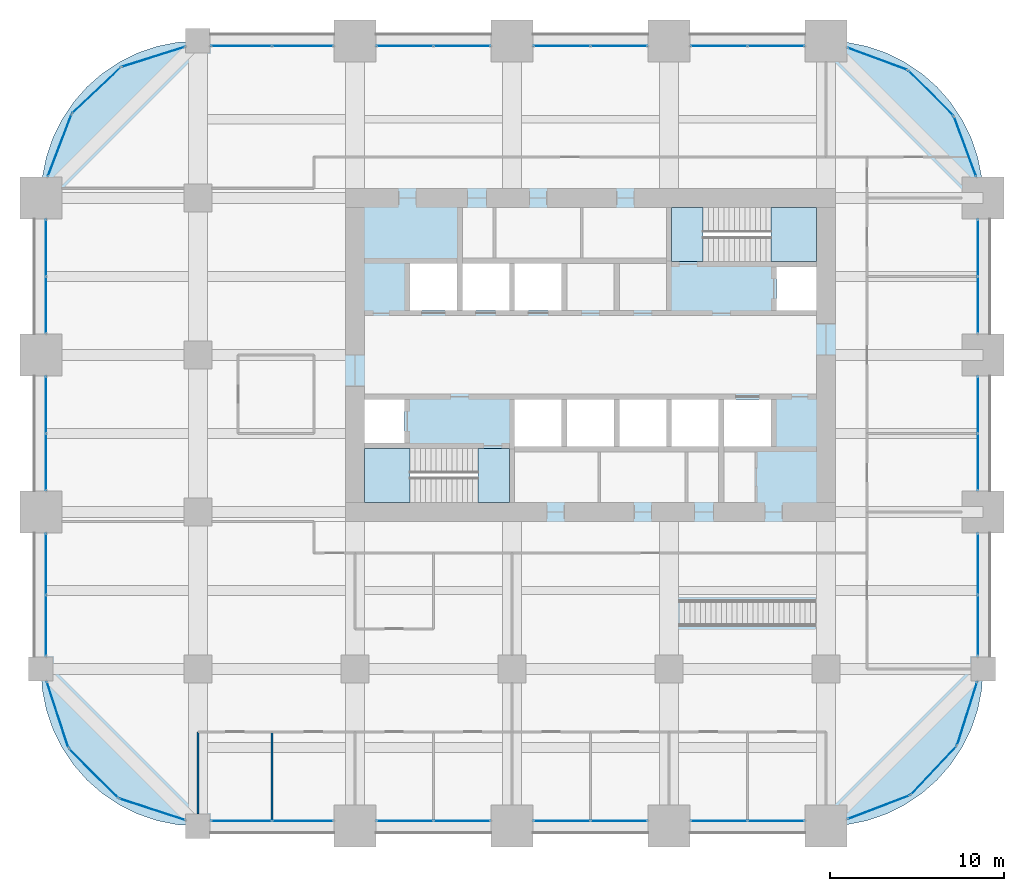
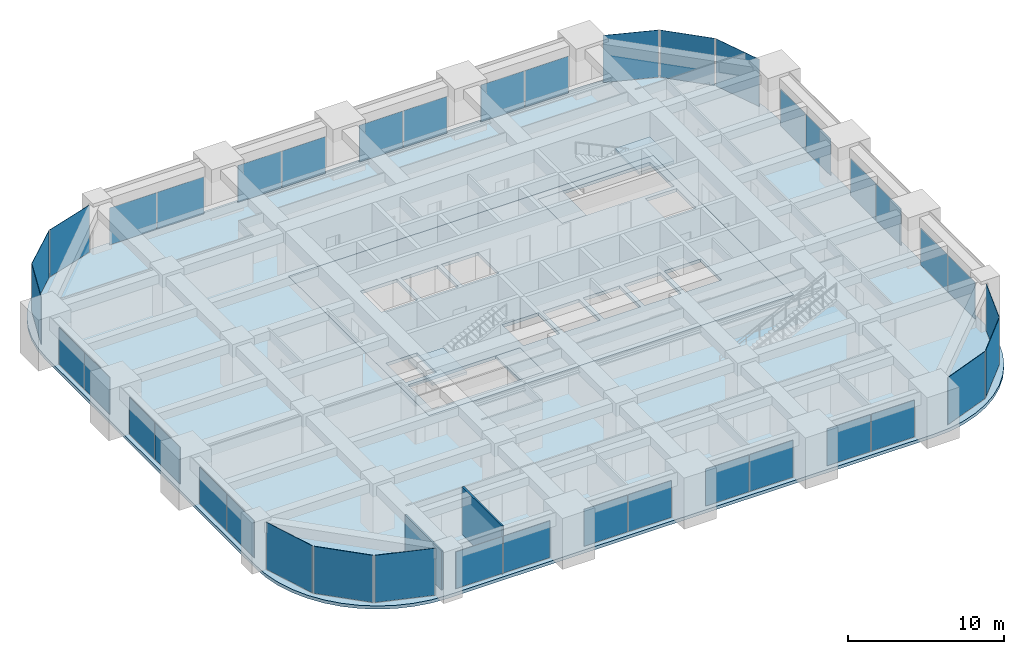
# One storey, part 28 of 34: 40 plates, 6 slabs, 2 walls, 28 elements without a shape of their own.
"""IFC4 building model written with IfcOpenShell, lengths in metres."""

from ifc_helpers import new_model, si_unit, direction, frame, frame_2d, origin, origin_2d, place, context, subcontext, project, spatial, polyline, rectangle, outline, extrude, material, layer, layer_set, type_object, element, aggregate, save


model = new_model("IFC4")

# Units and contexts
model_context = context("Model", 3, precision=1e-05, world=origin(), true_north=direction((0.0, 1.0)))
body_context = subcontext(model_context, "Body", "Model", "MODEL_VIEW")
ifc_project = project(units=[si_unit("LENGTHUNIT", "METRE"), si_unit("AREAUNIT", "SQUARE_METRE"), si_unit("VOLUMEUNIT", "CUBIC_METRE"), si_unit("PLANEANGLEUNIT", "RADIAN"), si_unit("MASSUNIT", "GRAM", prefix="KILO")], contexts=[model_context])

# Site, building, storey
site_placement = place(None, origin())
site = spatial("IfcSite", under=ifc_project, at=site_placement, CompositionType="ELEMENT")
building_placement = place(site_placement, origin())
building = spatial("IfcBuilding", under=site, at=building_placement, Name="Zorevar Civic Tower", CompositionType="ELEMENT")
storey_placement = place(building_placement, frame((0.0, 0.0, 174.199951171875)))
storey = spatial("IfcBuildingStorey", under=building, at=storey_placement, Name="L42", CompositionType="ELEMENT", Elevation=174.199951171875)

# Curtain wall, plates
ifc_material_1 = material(Name="Dark grey solar-control glass in black aluminium frame", Category="aluminium")
curtain_wall_type = type_object("IfcCurtainWallType", Name="Curtain wall CW4 high zone", PredefinedType="NOTDEFINED", material=ifc_material_1)
curtain_wall_1_placement = place(storey_placement, origin())
curtain_wall_1 = element("IfcCurtainWall", 1, at=curtain_wall_1_placement, inside=storey, type_object=curtain_wall_type, Name="CW4 L42", PredefinedType="NOTDEFINED")
ifc_material_2 = material(Name="Dark grey solar-control glass", Category="glass")
ifc_layer_1 = layer(ifc_material_2, 0.028076171875)
ifc_layer_set_1 = layer_set([ifc_layer_1], Name="CW4 panel 28")
plate_type = type_object("IfcPlateType", Name="CW4 panel 28", PredefinedType="CURTAIN_PANEL", material=ifc_layer_set_1)
plate_1_placement = place(storey_placement, frame((11.489990234375, 0.300048828125, 0.06005859375), z_axis=(0.0, 0.0, 1.0), x_axis=(1.0, 0.0, 0.0)))
plate_1 = element("IfcPlate", 2, at=plate_1_placement, type_object=plate_type, Name="CW4 panel 1.1", PredefinedType="CURTAIN_PANEL", context=body_context, shape_type="SweptSolid", body=[
    extrude(rectangle(XDim=3.4599609375, YDim=0.028076171875, at=origin_2d()), origin(), (0.0, 0.0, 1.0), 2.889892578125),
])
plate_2_placement = place(storey_placement, frame((15.010009765625, 0.300048828125, 0.06005859375), z_axis=(0.0, 0.0, 1.0), x_axis=(1.0, 0.0, 0.0)))
plate_2 = element("IfcPlate", 3, at=plate_2_placement, type_object=plate_type, Name="CW4 panel 2.1", PredefinedType="CURTAIN_PANEL", context=body_context, shape_type="SweptSolid", body=[
    extrude(rectangle(XDim=3.4599609375, YDim=0.028076171875, at=origin_2d()), origin(), (0.0, 0.0, 1.0), 2.889892578125),
])
aggregate(curtain_wall_1, [plate_1, plate_2])

curtain_wall_2_placement = place(storey_placement, origin())
curtain_wall_2 = element("IfcCurtainWall", 4, at=curtain_wall_2_placement, inside=storey, type_object=curtain_wall_type, Name="CW4 L42", PredefinedType="NOTDEFINED")
plate_3_placement = place(storey_placement, frame((11.489990234375, 44.699951171875, 0.06005859375), z_axis=(0.0, 0.0, 1.0), x_axis=(1.0, 0.0, 0.0)))
plate_3 = element("IfcPlate", 5, at=plate_3_placement, type_object=plate_type, Name="CW4 panel 1.1", PredefinedType="CURTAIN_PANEL", context=body_context, shape_type="SweptSolid", body=[
    extrude(rectangle(XDim=3.4599609375, YDim=0.028076171875, at=origin_2d()), origin(), (0.0, 0.0, 1.0), 2.889892578125),
])
plate_4_placement = place(storey_placement, frame((15.010009765625, 44.699951171875, 0.06005859375), z_axis=(0.0, 0.0, 1.0), x_axis=(1.0, 0.0, 0.0)))
plate_4 = element("IfcPlate", 6, at=plate_4_placement, type_object=plate_type, Name="CW4 panel 2.1", PredefinedType="CURTAIN_PANEL", context=body_context, shape_type="SweptSolid", body=[
    extrude(rectangle(XDim=3.4599609375, YDim=0.028076171875, at=origin_2d()), origin(), (0.0, 0.0, 1.0), 2.889892578125),
])
aggregate(curtain_wall_2, [plate_3, plate_4])

curtain_wall_3_placement = place(storey_placement, origin())
curtain_wall_3 = element("IfcCurtainWall", 7, at=curtain_wall_3_placement, inside=storey, type_object=curtain_wall_type, Name="CW4 L42", PredefinedType="NOTDEFINED")
plate_5_placement = place(storey_placement, frame((20.864990234375, 0.300048828125, 0.06005859375), z_axis=(0.0, 0.0, 1.0), x_axis=(1.0, 0.0, 0.0)))
plate_5 = element("IfcPlate", 8, at=plate_5_placement, type_object=plate_type, Name="CW4 panel 1.1", PredefinedType="CURTAIN_PANEL", context=body_context, shape_type="SweptSolid", body=[
    extrude(rectangle(XDim=3.2099609375, YDim=0.028076171875, at=origin_2d()), origin(), (0.0, 0.0, 1.0), 2.889892578125),
])
plate_6_placement = place(storey_placement, frame((24.135009765625, 0.300048828125, 0.06005859375), z_axis=(0.0, 0.0, 1.0), x_axis=(1.0, 0.0, 0.0)))
plate_6 = element("IfcPlate", 9, at=plate_6_placement, type_object=plate_type, Name="CW4 panel 2.1", PredefinedType="CURTAIN_PANEL", context=body_context, shape_type="SweptSolid", body=[
    extrude(rectangle(XDim=3.2099609375, YDim=0.028076171875, at=origin_2d()), origin(), (0.0, 0.0, 1.0), 2.889892578125),
])
aggregate(curtain_wall_3, [plate_5, plate_6])

curtain_wall_4_placement = place(storey_placement, origin())
curtain_wall_4 = element("IfcCurtainWall", 10, at=curtain_wall_4_placement, inside=storey, type_object=curtain_wall_type, Name="CW4 L42", PredefinedType="NOTDEFINED")
plate_7_placement = place(storey_placement, frame((20.864990234375, 44.699951171875, 0.06005859375), z_axis=(0.0, 0.0, 1.0), x_axis=(1.0, 0.0, 0.0)))
plate_7 = element("IfcPlate", 11, at=plate_7_placement, type_object=plate_type, Name="CW4 panel 1.1", PredefinedType="CURTAIN_PANEL", context=body_context, shape_type="SweptSolid", body=[
    extrude(rectangle(XDim=3.2099609375, YDim=0.028076171875, at=origin_2d()), origin(), (0.0, 0.0, 1.0), 2.889892578125),
])
plate_8_placement = place(storey_placement, frame((24.135009765625, 44.699951171875, 0.06005859375), z_axis=(0.0, 0.0, 1.0), x_axis=(1.0, 0.0, 0.0)))
plate_8 = element("IfcPlate", 12, at=plate_8_placement, type_object=plate_type, Name="CW4 panel 2.1", PredefinedType="CURTAIN_PANEL", context=body_context, shape_type="SweptSolid", body=[
    extrude(rectangle(XDim=3.2099609375, YDim=0.028076171875, at=origin_2d()), origin(), (0.0, 0.0, 1.0), 2.889892578125),
])
aggregate(curtain_wall_4, [plate_7, plate_8])

curtain_wall_5_placement = place(storey_placement, origin())
curtain_wall_5 = element("IfcCurtainWall", 13, at=curtain_wall_5_placement, inside=storey, type_object=curtain_wall_type, Name="CW4 L42", PredefinedType="NOTDEFINED")
plate_9_placement = place(storey_placement, frame((29.864990234375, 0.300048828125, 0.06005859375), z_axis=(0.0, 0.0, 1.0), x_axis=(1.0, 0.0, 0.0)))
plate_9 = element("IfcPlate", 14, at=plate_9_placement, type_object=plate_type, Name="CW4 panel 1.1", PredefinedType="CURTAIN_PANEL", context=body_context, shape_type="SweptSolid", body=[
    extrude(rectangle(XDim=3.2099609375, YDim=0.028076171875, at=origin_2d()), origin(), (0.0, 0.0, 1.0), 2.889892578125),
])
plate_10_placement = place(storey_placement, frame((33.135009765625, 0.300048828125, 0.06005859375), z_axis=(0.0, 0.0, 1.0), x_axis=(1.0, 0.0, 0.0)))
plate_10 = element("IfcPlate", 15, at=plate_10_placement, type_object=plate_type, Name="CW4 panel 2.1", PredefinedType="CURTAIN_PANEL", context=body_context, shape_type="SweptSolid", body=[
    extrude(rectangle(XDim=3.2099609375, YDim=0.028076171875, at=origin_2d()), origin(), (0.0, 0.0, 1.0), 2.889892578125),
])
aggregate(curtain_wall_5, [plate_9, plate_10])

curtain_wall_6_placement = place(storey_placement, origin())
curtain_wall_6 = element("IfcCurtainWall", 16, at=curtain_wall_6_placement, inside=storey, type_object=curtain_wall_type, Name="CW4 L42", PredefinedType="NOTDEFINED")
plate_11_placement = place(storey_placement, frame((29.864990234375, 44.699951171875, 0.06005859375), z_axis=(0.0, 0.0, 1.0), x_axis=(1.0, 0.0, 0.0)))
plate_11 = element("IfcPlate", 17, at=plate_11_placement, type_object=plate_type, Name="CW4 panel 1.1", PredefinedType="CURTAIN_PANEL", context=body_context, shape_type="SweptSolid", body=[
    extrude(rectangle(XDim=3.2099609375, YDim=0.028076171875, at=origin_2d()), origin(), (0.0, 0.0, 1.0), 2.889892578125),
])
plate_12_placement = place(storey_placement, frame((33.135009765625, 44.699951171875, 0.06005859375), z_axis=(0.0, 0.0, 1.0), x_axis=(1.0, 0.0, 0.0)))
plate_12 = element("IfcPlate", 18, at=plate_12_placement, type_object=plate_type, Name="CW4 panel 2.1", PredefinedType="CURTAIN_PANEL", context=body_context, shape_type="SweptSolid", body=[
    extrude(rectangle(XDim=3.2099609375, YDim=0.028076171875, at=origin_2d()), origin(), (0.0, 0.0, 1.0), 2.889892578125),
])
aggregate(curtain_wall_6, [plate_11, plate_12])

curtain_wall_7_placement = place(storey_placement, origin())
curtain_wall_7 = element("IfcCurtainWall", 19, at=curtain_wall_7_placement, inside=storey, type_object=curtain_wall_type, Name="CW4 L42", PredefinedType="NOTDEFINED")
plate_13_placement = place(storey_placement, frame((38.864990234375, 0.300048828125, 0.06005859375), z_axis=(0.0, 0.0, 1.0), x_axis=(1.0, 0.0, 0.0)))
plate_13 = element("IfcPlate", 20, at=plate_13_placement, type_object=plate_type, Name="CW4 panel 1.1", PredefinedType="CURTAIN_PANEL", context=body_context, shape_type="SweptSolid", body=[
    extrude(rectangle(XDim=3.2099609375, YDim=0.028076171875, at=origin_2d()), origin(), (0.0, 0.0, 1.0), 2.889892578125),
])
plate_14_placement = place(storey_placement, frame((42.135009765625, 0.300048828125, 0.06005859375), z_axis=(0.0, 0.0, 1.0), x_axis=(1.0, 0.0, 0.0)))
plate_14 = element("IfcPlate", 21, at=plate_14_placement, type_object=plate_type, Name="CW4 panel 2.1", PredefinedType="CURTAIN_PANEL", context=body_context, shape_type="SweptSolid", body=[
    extrude(rectangle(XDim=3.2099609375, YDim=0.028076171875, at=origin_2d()), origin(), (0.0, 0.0, 1.0), 2.889892578125),
])
aggregate(curtain_wall_7, [plate_13, plate_14])

curtain_wall_8_placement = place(storey_placement, origin())
curtain_wall_8 = element("IfcCurtainWall", 22, at=curtain_wall_8_placement, inside=storey, type_object=curtain_wall_type, Name="CW4 L42", PredefinedType="NOTDEFINED")
plate_15_placement = place(storey_placement, frame((38.864990234375, 44.699951171875, 0.06005859375), z_axis=(0.0, 0.0, 1.0), x_axis=(1.0, 0.0, 0.0)))
plate_15 = element("IfcPlate", 23, at=plate_15_placement, type_object=plate_type, Name="CW4 panel 1.1", PredefinedType="CURTAIN_PANEL", context=body_context, shape_type="SweptSolid", body=[
    extrude(rectangle(XDim=3.2099609375, YDim=0.028076171875, at=origin_2d()), origin(), (0.0, 0.0, 1.0), 2.889892578125),
])
plate_16_placement = place(storey_placement, frame((42.135009765625, 44.699951171875, 0.06005859375), z_axis=(0.0, 0.0, 1.0), x_axis=(1.0, 0.0, 0.0)))
plate_16 = element("IfcPlate", 24, at=plate_16_placement, type_object=plate_type, Name="CW4 panel 2.1", PredefinedType="CURTAIN_PANEL", context=body_context, shape_type="SweptSolid", body=[
    extrude(rectangle(XDim=3.2099609375, YDim=0.028076171875, at=origin_2d()), origin(), (0.0, 0.0, 1.0), 2.889892578125),
])
aggregate(curtain_wall_8, [plate_15, plate_16])

curtain_wall_9_placement = place(storey_placement, origin())
curtain_wall_9 = element("IfcCurtainWall", 25, at=curtain_wall_9_placement, inside=storey, type_object=curtain_wall_type, Name="CW4 L42", PredefinedType="NOTDEFINED")
plate_17_placement = place(storey_placement, frame((0.300048828125, 11.489990234375, 0.06005859375), z_axis=(0.0, 0.0, 1.0), x_axis=(0.0, 1.0, 0.0)))
plate_17 = element("IfcPlate", 26, at=plate_17_placement, type_object=plate_type, Name="CW4 panel 1.1", PredefinedType="CURTAIN_PANEL", context=body_context, shape_type="SweptSolid", body=[
    extrude(rectangle(XDim=3.4599609375, YDim=0.028076171875, at=origin_2d()), origin(), (0.0, 0.0, 1.0), 2.889892578125),
])
plate_18_placement = place(storey_placement, frame((0.300048828125, 15.010009765625, 0.06005859375), z_axis=(0.0, 0.0, 1.0), x_axis=(0.0, 1.0, 0.0)))
plate_18 = element("IfcPlate", 27, at=plate_18_placement, type_object=plate_type, Name="CW4 panel 2.1", PredefinedType="CURTAIN_PANEL", context=body_context, shape_type="SweptSolid", body=[
    extrude(rectangle(XDim=3.4599609375, YDim=0.028076171875, at=origin_2d()), origin(), (0.0, 0.0, 1.0), 2.889892578125),
])
aggregate(curtain_wall_9, [plate_17, plate_18])

curtain_wall_10_placement = place(storey_placement, origin())
curtain_wall_10 = element("IfcCurtainWall", 28, at=curtain_wall_10_placement, inside=storey, type_object=curtain_wall_type, Name="CW4 L42", PredefinedType="NOTDEFINED")
plate_19_placement = place(storey_placement, frame((53.699951171875, 11.489990234375, 0.06005859375), z_axis=(0.0, 0.0, 1.0), x_axis=(0.0, 1.0, 0.0)))
plate_19 = element("IfcPlate", 29, at=plate_19_placement, type_object=plate_type, Name="CW4 panel 1.1", PredefinedType="CURTAIN_PANEL", context=body_context, shape_type="SweptSolid", body=[
    extrude(rectangle(XDim=3.4599609375, YDim=0.028076171875, at=origin_2d()), origin(), (0.0, 0.0, 1.0), 2.889892578125),
])
plate_20_placement = place(storey_placement, frame((53.699951171875, 15.010009765625, 0.06005859375), z_axis=(0.0, 0.0, 1.0), x_axis=(0.0, 1.0, 0.0)))
plate_20 = element("IfcPlate", 30, at=plate_20_placement, type_object=plate_type, Name="CW4 panel 2.1", PredefinedType="CURTAIN_PANEL", context=body_context, shape_type="SweptSolid", body=[
    extrude(rectangle(XDim=3.4599609375, YDim=0.028076171875, at=origin_2d()), origin(), (0.0, 0.0, 1.0), 2.889892578125),
])
aggregate(curtain_wall_10, [plate_19, plate_20])

curtain_wall_11_placement = place(storey_placement, origin())
curtain_wall_11 = element("IfcCurtainWall", 31, at=curtain_wall_11_placement, inside=storey, type_object=curtain_wall_type, Name="CW4 L42", PredefinedType="NOTDEFINED")
plate_21_placement = place(storey_placement, frame((0.300048828125, 20.864990234375, 0.06005859375), z_axis=(0.0, 0.0, 1.0), x_axis=(0.0, 1.0, 0.0)))
plate_21 = element("IfcPlate", 32, at=plate_21_placement, type_object=plate_type, Name="CW4 panel 1.1", PredefinedType="CURTAIN_PANEL", context=body_context, shape_type="SweptSolid", body=[
    extrude(rectangle(XDim=3.2099609375, YDim=0.028076171875, at=origin_2d()), origin(), (0.0, 0.0, 1.0), 2.889892578125),
])
plate_22_placement = place(storey_placement, frame((0.300048828125, 24.135009765625, 0.06005859375), z_axis=(0.0, 0.0, 1.0), x_axis=(0.0, 1.0, 0.0)))
plate_22 = element("IfcPlate", 33, at=plate_22_placement, type_object=plate_type, Name="CW4 panel 2.1", PredefinedType="CURTAIN_PANEL", context=body_context, shape_type="SweptSolid", body=[
    extrude(rectangle(XDim=3.2099609375, YDim=0.028076171875, at=origin_2d()), origin(), (0.0, 0.0, 1.0), 2.889892578125),
])
aggregate(curtain_wall_11, [plate_21, plate_22])

curtain_wall_12_placement = place(storey_placement, origin())
curtain_wall_12 = element("IfcCurtainWall", 34, at=curtain_wall_12_placement, inside=storey, type_object=curtain_wall_type, Name="CW4 L42", PredefinedType="NOTDEFINED")
plate_23_placement = place(storey_placement, frame((53.699951171875, 20.864990234375, 0.06005859375), z_axis=(0.0, 0.0, 1.0), x_axis=(0.0, 1.0, 0.0)))
plate_23 = element("IfcPlate", 35, at=plate_23_placement, type_object=plate_type, Name="CW4 panel 1.1", PredefinedType="CURTAIN_PANEL", context=body_context, shape_type="SweptSolid", body=[
    extrude(rectangle(XDim=3.2099609375, YDim=0.028076171875, at=origin_2d()), origin(), (0.0, 0.0, 1.0), 2.889892578125),
])
plate_24_placement = place(storey_placement, frame((53.699951171875, 24.135009765625, 0.06005859375), z_axis=(0.0, 0.0, 1.0), x_axis=(0.0, 1.0, 0.0)))
plate_24 = element("IfcPlate", 36, at=plate_24_placement, type_object=plate_type, Name="CW4 panel 2.1", PredefinedType="CURTAIN_PANEL", context=body_context, shape_type="SweptSolid", body=[
    extrude(rectangle(XDim=3.2099609375, YDim=0.028076171875, at=origin_2d()), origin(), (0.0, 0.0, 1.0), 2.889892578125),
])
aggregate(curtain_wall_12, [plate_23, plate_24])

curtain_wall_13_placement = place(storey_placement, origin())
curtain_wall_13 = element("IfcCurtainWall", 37, at=curtain_wall_13_placement, inside=storey, type_object=curtain_wall_type, Name="CW4 L42", PredefinedType="NOTDEFINED")
plate_25_placement = place(storey_placement, frame((0.300048828125, 29.864990234375, 0.06005859375), z_axis=(0.0, 0.0, 1.0), x_axis=(0.0, 1.0, 0.0)))
plate_25 = element("IfcPlate", 38, at=plate_25_placement, type_object=plate_type, Name="CW4 panel 1.1", PredefinedType="CURTAIN_PANEL", context=body_context, shape_type="SweptSolid", body=[
    extrude(rectangle(XDim=3.2099609375, YDim=0.028076171875, at=origin_2d()), origin(), (0.0, 0.0, 1.0), 2.889892578125),
])
plate_26_placement = place(storey_placement, frame((0.300048828125, 33.135009765625, 0.06005859375), z_axis=(0.0, 0.0, 1.0), x_axis=(0.0, 1.0, 0.0)))
plate_26 = element("IfcPlate", 39, at=plate_26_placement, type_object=plate_type, Name="CW4 panel 2.1", PredefinedType="CURTAIN_PANEL", context=body_context, shape_type="SweptSolid", body=[
    extrude(rectangle(XDim=3.2099609375, YDim=0.028076171875, at=origin_2d()), origin(), (0.0, 0.0, 1.0), 2.889892578125),
])
aggregate(curtain_wall_13, [plate_25, plate_26])

curtain_wall_14_placement = place(storey_placement, origin())
curtain_wall_14 = element("IfcCurtainWall", 40, at=curtain_wall_14_placement, inside=storey, type_object=curtain_wall_type, Name="CW4 L42", PredefinedType="NOTDEFINED")
plate_27_placement = place(storey_placement, frame((53.699951171875, 29.864990234375, 0.06005859375), z_axis=(0.0, 0.0, 1.0), x_axis=(0.0, 1.0, 0.0)))
plate_27 = element("IfcPlate", 41, at=plate_27_placement, type_object=plate_type, Name="CW4 panel 1.1", PredefinedType="CURTAIN_PANEL", context=body_context, shape_type="SweptSolid", body=[
    extrude(rectangle(XDim=3.2099609375, YDim=0.028076171875, at=origin_2d()), origin(), (0.0, 0.0, 1.0), 2.889892578125),
])
plate_28_placement = place(storey_placement, frame((53.699951171875, 33.135009765625, 0.06005859375), z_axis=(0.0, 0.0, 1.0), x_axis=(0.0, 1.0, 0.0)))
plate_28 = element("IfcPlate", 42, at=plate_28_placement, type_object=plate_type, Name="CW4 panel 2.1", PredefinedType="CURTAIN_PANEL", context=body_context, shape_type="SweptSolid", body=[
    extrude(rectangle(XDim=3.2099609375, YDim=0.028076171875, at=origin_2d()), origin(), (0.0, 0.0, 1.0), 2.889892578125),
])
aggregate(curtain_wall_14, [plate_27, plate_28])

# Curtain wall, plate
curtain_wall_15_placement = place(storey_placement, origin())
curtain_wall_15 = element("IfcCurtainWall", 43, at=curtain_wall_15_placement, inside=storey, type_object=curtain_wall_type, Name="CW4 L42", PredefinedType="NOTDEFINED")
plate_29_placement = place(storey_placement, frame((48.0166015625, 1.07470703125, 0.06005859375), z_axis=(0.0, 0.0, 1.0), x_axis=(0.93458842801, 0.355730895803, 0.0)))
plate_29 = element("IfcPlate", 44, at=plate_29_placement, type_object=plate_type, Name="CW4 panel 1.1", PredefinedType="CURTAIN_PANEL", context=body_context, shape_type="SweptSolid", body=[
    extrude(rectangle(XDim=3.767333984375, YDim=0.028076171875, at=origin_2d()), origin(), (0.0, 0.0, 1.0), 3.68994140625),
])
aggregate(curtain_wall_15, [plate_29])

curtain_wall_16_placement = place(storey_placement, origin())
curtain_wall_16 = element("IfcCurtainWall", 45, at=curtain_wall_16_placement, inside=storey, type_object=curtain_wall_type, Name="CW4 L42", PredefinedType="NOTDEFINED")
plate_30_placement = place(storey_placement, frame((51.167236328125, 3.179443359375, 0.06005859375), z_axis=(0.0, 0.0, 1.0), x_axis=(0.686377907265, 0.727245053898, 0.0)))
plate_30 = element("IfcPlate", 46, at=plate_30_placement, type_object=plate_type, Name="CW4 panel 1.1", PredefinedType="CURTAIN_PANEL", context=body_context, shape_type="SweptSolid", body=[
    extrude(rectangle(XDim=3.767333984375, YDim=0.028076171875, at=origin_2d()), origin(), (0.0, 0.0, 1.0), 3.68994140625),
])
aggregate(curtain_wall_16, [plate_30])

curtain_wall_17_placement = place(storey_placement, origin())
curtain_wall_17 = element("IfcCurtainWall", 47, at=curtain_wall_17_placement, inside=storey, type_object=curtain_wall_type, Name="CW4 L42", PredefinedType="NOTDEFINED")
plate_31_placement = place(storey_placement, frame((53.08642578125, 6.446533203125, 0.06005859375), z_axis=(0.0, 0.0, 1.0), x_axis=(0.301108296077, 0.953589950678, 0.0)))
plate_31 = element("IfcPlate", 48, at=plate_31_placement, type_object=plate_type, Name="CW4 panel 1.1", PredefinedType="CURTAIN_PANEL", context=body_context, shape_type="SweptSolid", body=[
    extrude(rectangle(XDim=3.767333984375, YDim=0.028076171875, at=origin_2d()), origin(), (0.0, 0.0, 1.0), 3.68994140625),
])
aggregate(curtain_wall_17, [plate_31])

curtain_wall_18_placement = place(storey_placement, origin())
curtain_wall_18 = element("IfcCurtainWall", 49, at=curtain_wall_18_placement, inside=storey, type_object=curtain_wall_type, Name="CW4 L42", PredefinedType="NOTDEFINED")
plate_32_placement = place(storey_placement, frame((52.97119140625, 38.9462890625, 0.06005859375), z_axis=(0.0, 0.0, 1.0), x_axis=(-0.346704012033, 0.937974588163, 0.0)))
plate_32 = element("IfcPlate", 50, at=plate_32_placement, type_object=plate_type, Name="CW4 panel 1.1", PredefinedType="CURTAIN_PANEL", context=body_context, shape_type="SweptSolid", body=[
    extrude(rectangle(XDim=3.603759765625, YDim=0.028076171875, at=origin_2d()), origin(), (0.0, 0.0, 1.0), 3.68994140625),
])
aggregate(curtain_wall_18, [plate_32])

curtain_wall_19_placement = place(storey_placement, origin())
curtain_wall_19 = element("IfcCurtainWall", 51, at=curtain_wall_19_placement, inside=storey, type_object=curtain_wall_type, Name="CW4 L42", PredefinedType="NOTDEFINED")
plate_33_placement = place(storey_placement, frame((51.00927734375, 42.00927734375, 0.06005859375), z_axis=(0.0, 0.0, 1.0), x_axis=(-0.707106781187, 0.707106781187, 0.0)))
plate_33 = element("IfcPlate", 52, at=plate_33_placement, type_object=plate_type, Name="CW4 panel 1.1", PredefinedType="CURTAIN_PANEL", context=body_context, shape_type="SweptSolid", body=[
    extrude(rectangle(XDim=3.603759765625, YDim=0.028076171875, at=origin_2d()), origin(), (0.0, 0.0, 1.0), 3.68994140625),
])
aggregate(curtain_wall_19, [plate_33])

curtain_wall_20_placement = place(storey_placement, origin())
curtain_wall_20 = element("IfcCurtainWall", 53, at=curtain_wall_20_placement, inside=storey, type_object=curtain_wall_type, Name="CW4 L42", PredefinedType="NOTDEFINED")
plate_34_placement = place(storey_placement, frame((47.9462890625, 43.97119140625, 0.06005859375), z_axis=(0.0, 0.0, 1.0), x_axis=(-0.937974588163, 0.346704012033, 0.0)))
plate_34 = element("IfcPlate", 54, at=plate_34_placement, type_object=plate_type, Name="CW4 panel 1.1", PredefinedType="CURTAIN_PANEL", context=body_context, shape_type="SweptSolid", body=[
    extrude(rectangle(XDim=3.603759765625, YDim=0.028076171875, at=origin_2d()), origin(), (0.0, 0.0, 1.0), 3.68994140625),
])
aggregate(curtain_wall_20, [plate_34])

curtain_wall_21_placement = place(storey_placement, origin())
curtain_wall_21 = element("IfcCurtainWall", 55, at=curtain_wall_21_placement, inside=storey, type_object=curtain_wall_type, Name="CW4 L42", PredefinedType="NOTDEFINED")
plate_35_placement = place(storey_placement, frame((6.446533203125, 44.08642578125, 0.06005859375), z_axis=(0.0, 0.0, 1.0), x_axis=(-0.953589950678, -0.301108296077, 0.0)))
plate_35 = element("IfcPlate", 56, at=plate_35_placement, type_object=plate_type, Name="CW4 panel 1.1", PredefinedType="CURTAIN_PANEL", context=body_context, shape_type="SweptSolid", body=[
    extrude(rectangle(XDim=3.767333984375, YDim=0.028076171875, at=origin_2d()), origin(), (0.0, 0.0, 1.0), 3.68994140625),
])
aggregate(curtain_wall_21, [plate_35])

curtain_wall_22_placement = place(storey_placement, origin())
curtain_wall_22 = element("IfcCurtainWall", 57, at=curtain_wall_22_placement, inside=storey, type_object=curtain_wall_type, Name="CW4 L42", PredefinedType="NOTDEFINED")
plate_36_placement = place(storey_placement, frame((3.179443359375, 42.167236328125, 0.06005859375), z_axis=(0.0, 0.0, 1.0), x_axis=(-0.727245053898, -0.686377907265, 0.0)))
plate_36 = element("IfcPlate", 58, at=plate_36_placement, type_object=plate_type, Name="CW4 panel 1.1", PredefinedType="CURTAIN_PANEL", context=body_context, shape_type="SweptSolid", body=[
    extrude(rectangle(XDim=3.767333984375, YDim=0.028076171875, at=origin_2d()), origin(), (0.0, 0.0, 1.0), 3.68994140625),
])
aggregate(curtain_wall_22, [plate_36])

curtain_wall_23_placement = place(storey_placement, origin())
curtain_wall_23 = element("IfcCurtainWall", 59, at=curtain_wall_23_placement, inside=storey, type_object=curtain_wall_type, Name="CW4 L42", PredefinedType="NOTDEFINED")
plate_37_placement = place(storey_placement, frame((1.07470703125, 39.0166015625, 0.06005859375), z_axis=(0.0, 0.0, 1.0), x_axis=(-0.355730895803, -0.93458842801, 0.0)))
plate_37 = element("IfcPlate", 60, at=plate_37_placement, type_object=plate_type, Name="CW4 panel 1.1", PredefinedType="CURTAIN_PANEL", context=body_context, shape_type="SweptSolid", body=[
    extrude(rectangle(XDim=3.767333984375, YDim=0.028076171875, at=origin_2d()), origin(), (0.0, 0.0, 1.0), 3.68994140625),
])
aggregate(curtain_wall_23, [plate_37])

curtain_wall_24_placement = place(storey_placement, origin())
curtain_wall_24 = element("IfcCurtainWall", 61, at=curtain_wall_24_placement, inside=storey, type_object=curtain_wall_type, Name="CW4 L42", PredefinedType="NOTDEFINED")
plate_38_placement = place(storey_placement, frame((0.956787109375, 6.374755859375, 0.06005859375), z_axis=(0.0, 0.0, 1.0), x_axis=(0.310281419775, -0.950644749916, 0.0)))
plate_38 = element("IfcPlate", 62, at=plate_38_placement, type_object=plate_type, Name="CW4 panel 1.1", PredefinedType="CURTAIN_PANEL", context=body_context, shape_type="SweptSolid", body=[
    extrude(rectangle(XDim=3.9306640625, YDim=0.028076171875, at=origin_2d()), origin(), (0.0, 0.0, 1.0), 3.68994140625),
])
aggregate(curtain_wall_24, [plate_38])

curtain_wall_25_placement = place(storey_placement, origin())
curtain_wall_25 = element("IfcCurtainWall", 63, at=curtain_wall_25_placement, inside=storey, type_object=curtain_wall_type, Name="CW4 L42", PredefinedType="NOTDEFINED")
plate_39_placement = place(storey_placement, frame((3.01708984375, 3.01708984375, 0.06005859375), z_axis=(0.0, 0.0, 1.0), x_axis=(0.707106781187, -0.707106781187, 0.0)))
plate_39 = element("IfcPlate", 64, at=plate_39_placement, type_object=plate_type, Name="CW4 panel 1.1", PredefinedType="CURTAIN_PANEL", context=body_context, shape_type="SweptSolid", body=[
    extrude(rectangle(XDim=3.9306640625, YDim=0.028076171875, at=origin_2d()), origin(), (0.0, 0.0, 1.0), 3.68994140625),
])
aggregate(curtain_wall_25, [plate_39])

curtain_wall_26_placement = place(storey_placement, origin())
curtain_wall_26 = element("IfcCurtainWall", 65, at=curtain_wall_26_placement, inside=storey, type_object=curtain_wall_type, Name="CW4 L42", PredefinedType="NOTDEFINED")
plate_40_placement = place(storey_placement, frame((6.374755859375, 0.956787109375, 0.06005859375), z_axis=(0.0, 0.0, 1.0), x_axis=(0.950644749916, -0.310281419775, 0.0)))
plate_40 = element("IfcPlate", 66, at=plate_40_placement, type_object=plate_type, Name="CW4 panel 1.1", PredefinedType="CURTAIN_PANEL", context=body_context, shape_type="SweptSolid", body=[
    extrude(rectangle(XDim=3.9306640625, YDim=0.028076171875, at=origin_2d()), origin(), (0.0, 0.0, 1.0), 3.68994140625),
])
aggregate(curtain_wall_26, [plate_40])

# Slabs
ifc_material_3 = material(Name="Concrete C40/50", Category="concrete")
ifc_layer_2 = layer(ifc_material_3, 0.25)
ifc_layer_set_2 = layer_set([ifc_layer_2], Name="Floor slab 250")
slab_type_1 = type_object("IfcSlabType", Name="Floor slab 250", PredefinedType="FLOOR", material=ifc_layer_set_2)
slab_1_placement = place(storey_placement, frame((0.0, 0.0, -0.25)))
element("IfcSlab", 67, at=slab_1_placement, inside=storey, type_object=slab_type_1, Name="Floor slab L42", PredefinedType="FLOOR", context=body_context, shape_type="SweptSolid", body=[
    extrude(outline(polyline([(45.0, 0.0), (46.1748046875, 0.076904296875), (47.329345703125, 0.306640625), (48.444091796875, 0.68505859375), (49.5, 1.205810546875), (50.478759765625, 1.85986328125), (51.364013671875, 2.635986328125), (52.14013671875, 3.521240234375), (52.794189453125, 4.5), (53.31494140625, 5.555908203125), (53.693359375, 6.670654296875), (53.923095703125, 7.8251953125), (54.0, 9.0), (54.0, 36.0), (53.923095703125, 37.1748046875), (53.693359375, 38.329345703125), (53.31494140625, 39.444091796875), (52.794189453125, 40.5), (52.14013671875, 41.478759765625), (51.364013671875, 42.364013671875), (50.478759765625, 43.14013671875), (49.5, 43.794189453125), (48.444091796875, 44.31494140625), (47.329345703125, 44.693359375), (46.1748046875, 44.923095703125), (45.0, 45.0), (9.0, 45.0), (7.8251953125, 44.923095703125), (6.670654296875, 44.693359375), (5.555908203125, 44.31494140625), (4.5, 43.794189453125), (3.521240234375, 43.14013671875), (2.635986328125, 42.364013671875), (1.85986328125, 41.478759765625), (1.205810546875, 40.5), (0.68505859375, 39.444091796875), (0.306640625, 38.329345703125), (0.076904296875, 37.1748046875), (0.0, 36.0), (0.0, 9.0), (0.076904296875, 7.8251953125), (0.306640625, 6.670654296875), (0.68505859375, 5.555908203125), (1.205810546875, 4.5), (1.85986328125, 3.521240234375), (2.635986328125, 2.635986328125), (3.521240234375, 1.85986328125), (4.5, 1.205810546875), (5.555908203125, 0.68505859375), (6.670654296875, 0.306640625), (7.8251953125, 0.076904296875), (9.0, 0.0), (45.0, 0.0)]), holes=[polyline([(18.0, 18.0), (45.0, 18.0), (45.0, 36.0), (18.0, 36.0), (18.0, 18.0)])]), origin(), (0.0, 0.0, 1.0), 0.25),
])
slab_2_placement = place(storey_placement, frame((0.0, 0.0, -0.25)))
element("IfcSlab", 68, at=slab_2_placement, inside=storey, type_object=slab_type_1, Name="Core floor L42", PredefinedType="FLOOR", context=body_context, shape_type="SweptSolid", body=[
    extrude(outline(polyline([(18.0, 18.0), (45.0, 18.0), (45.0, 36.0), (18.0, 36.0), (18.0, 18.0)]), holes=[polyline([(18.550048828125, 18.550048828125), (26.85009765625, 18.550048828125), (26.85009765625, 21.64990234375), (18.550048828125, 21.64990234375), (18.550048828125, 18.550048828125)]), polyline([(36.14990234375, 32.35009765625), (44.449951171875, 32.35009765625), (44.449951171875, 35.449951171875), (36.14990234375, 35.449951171875), (36.14990234375, 32.35009765625)]), polyline([(18.550048828125, 21.949951171875), (20.85009765625, 21.949951171875), (20.85009765625, 24.449951171875), (18.550048828125, 24.449951171875), (18.550048828125, 21.949951171875)]), polyline([(42.14990234375, 29.550048828125), (44.449951171875, 29.550048828125), (44.449951171875, 32.050048828125), (42.14990234375, 32.050048828125), (42.14990234375, 29.550048828125)]), polyline([(27.14990234375, 21.75), (29.85009765625, 21.75), (29.85009765625, 24.449951171875), (27.14990234375, 24.449951171875), (27.14990234375, 21.75)]), polyline([(30.14990234375, 21.75), (32.85009765625, 21.75), (32.85009765625, 24.449951171875), (30.14990234375, 24.449951171875), (30.14990234375, 21.75)]), polyline([(33.14990234375, 21.75), (35.85009765625, 21.75), (35.85009765625, 24.449951171875), (33.14990234375, 24.449951171875), (33.14990234375, 21.75)]), polyline([(27.14990234375, 29.550048828125), (29.85009765625, 29.550048828125), (29.85009765625, 32.25), (27.14990234375, 32.25), (27.14990234375, 29.550048828125)]), polyline([(36.14990234375, 21.75), (38.85009765625, 21.75), (38.85009765625, 24.449951171875), (36.14990234375, 24.449951171875), (36.14990234375, 21.75)]), polyline([(24.14990234375, 29.550048828125), (26.85009765625, 29.550048828125), (26.85009765625, 32.25), (24.14990234375, 32.25), (24.14990234375, 29.550048828125)]), polyline([(39.14990234375, 21.75), (41.85009765625, 21.75), (41.85009765625, 24.449951171875), (39.14990234375, 24.449951171875), (39.14990234375, 21.75)]), polyline([(21.14990234375, 29.550048828125), (23.85009765625, 29.550048828125), (23.85009765625, 32.25), (21.14990234375, 32.25), (21.14990234375, 29.550048828125)])]), origin(), (0.0, 0.0, 1.0), 0.25),
])

# Stair, slabs
ifc_material_4 = material(Name="Precast concrete C40/50", Category="concrete")
stair_type = type_object("IfcStairType", Name="Stair ST 28R", PredefinedType="HALF_TURN_STAIR", material=ifc_material_4)
stair_1_placement = place(storey_placement, origin())
stair_1 = element("IfcStair", 69, at=stair_1_placement, inside=storey, type_object=stair_type, Name="Stair ST1 L42", PredefinedType="HALF_TURN_STAIR")
ifc_material_5 = material(Name="Concrete C40/50", Category="concrete")
ifc_layer_3 = layer(ifc_material_5, 0.199951171875)
ifc_layer_set_3 = layer_set([ifc_layer_3], Name="Stair landing 200")
slab_type_2 = type_object("IfcSlabType", Name="Stair landing 200", PredefinedType="LANDING", material=ifc_layer_set_3)
slab_3_placement = place(storey_placement, frame((0.0, 0.0, -0.199951171875)))
slab_3 = element("IfcSlab", 70, at=slab_3_placement, type_object=slab_type_2, Name="ST1 landing 1", PredefinedType="LANDING", context=body_context, shape_type="SweptSolid", body=[
    extrude(outline(polyline([(25.050048828125, 18.550048828125), (26.85009765625, 18.550048828125), (26.85009765625, 21.64990234375), (25.050048828125, 21.64990234375), (25.050048828125, 18.550048828125)])), origin(), (0.0, 0.0, 1.0), 0.199951171875),
])
slab_4_placement = place(storey_placement, frame((0.0, 0.0, 1.800048828125)))
slab_4 = element("IfcSlab", 71, at=slab_4_placement, type_object=slab_type_2, Name="ST1 landing 2", PredefinedType="LANDING", context=body_context, shape_type="SweptSolid", body=[
    extrude(outline(polyline([(18.550048828125, 18.550048828125), (21.14990234375, 18.550048828125), (21.14990234375, 21.64990234375), (18.550048828125, 21.64990234375), (18.550048828125, 18.550048828125)])), origin(), (0.0, 0.0, 1.0), 0.199951171875),
])
aggregate(stair_1, [slab_3, slab_4])

stair_2_placement = place(storey_placement, origin())
stair_2 = element("IfcStair", 72, at=stair_2_placement, inside=storey, type_object=stair_type, Name="Stair ST2 L42", PredefinedType="HALF_TURN_STAIR")
slab_5_placement = place(storey_placement, frame((0.0, 0.0, -0.199951171875)))
slab_5 = element("IfcSlab", 73, at=slab_5_placement, type_object=slab_type_2, Name="ST2 landing 1", PredefinedType="LANDING", context=body_context, shape_type="SweptSolid", body=[
    extrude(outline(polyline([(37.949951171875, 32.35009765625), (36.14990234375, 32.35009765625), (36.14990234375, 35.449951171875), (37.949951171875, 35.449951171875), (37.949951171875, 32.35009765625)])), origin(), (0.0, 0.0, 1.0), 0.199951171875),
])
slab_6_placement = place(storey_placement, frame((0.0, 0.0, 1.800048828125)))
slab_6 = element("IfcSlab", 74, at=slab_6_placement, type_object=slab_type_2, Name="ST2 landing 2", PredefinedType="LANDING", context=body_context, shape_type="SweptSolid", body=[
    extrude(outline(polyline([(44.449951171875, 32.35009765625), (41.85009765625, 32.35009765625), (41.85009765625, 35.449951171875), (44.449951171875, 35.449951171875), (44.449951171875, 32.35009765625)])), origin(), (0.0, 0.0, 1.0), 0.199951171875),
])
aggregate(stair_2, [slab_5, slab_6])

# Walls
ifc_material_6 = material(Name="Gypsum board on steel studs", Category="steel")
ifc_layer_4 = layer(ifc_material_6, 0.1201171875)
ifc_layer_set_4 = layer_set([ifc_layer_4], Name="Partition 120")
wall_type = type_object("IfcWallType", Name="Partition 120", PredefinedType="PARTITIONING", material=ifc_layer_set_4)
wall_1_placement = place(storey_placement, frame((9.0, 0.699951171875, 0.0), z_axis=(0.0, 0.0, 1.0), x_axis=(0.0, 1.0, 0.0)))
element("IfcWall", 75, at=wall_1_placement, inside=storey, type_object=wall_type, Name="Partition 120 L42", PredefinedType="PARTITIONING", context=body_context, shape_type="SweptSolid", body=[
    extrude(rectangle(XDim=4.699951171875, YDim=0.1201171875, at=frame_2d((2.35009765625, 0.0))), origin(), (0.0, 0.0, 1.0), 3.050048828125),
])
wall_2_placement = place(storey_placement, frame((13.25, 0.31005859375, 0.0), z_axis=(0.0, 0.0, 1.0), x_axis=(0.0, 1.0, 0.0)))
element("IfcWall", 76, at=wall_2_placement, inside=storey, type_object=wall_type, Name="Partition 120 L42", PredefinedType="PARTITIONING", context=body_context, shape_type="SweptSolid", body=[
    extrude(rectangle(XDim=5.08984375, YDim=0.1201171875, at=frame_2d((2.544921875, 0.0))), origin(), (0.0, 0.0, 1.0), 3.75),
])

save(model, "model.ifc")
